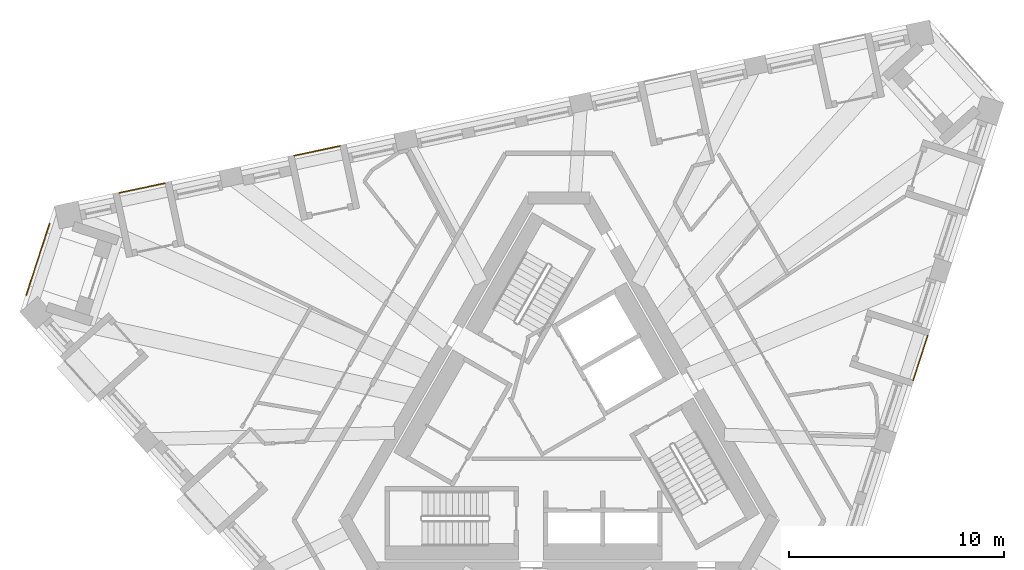
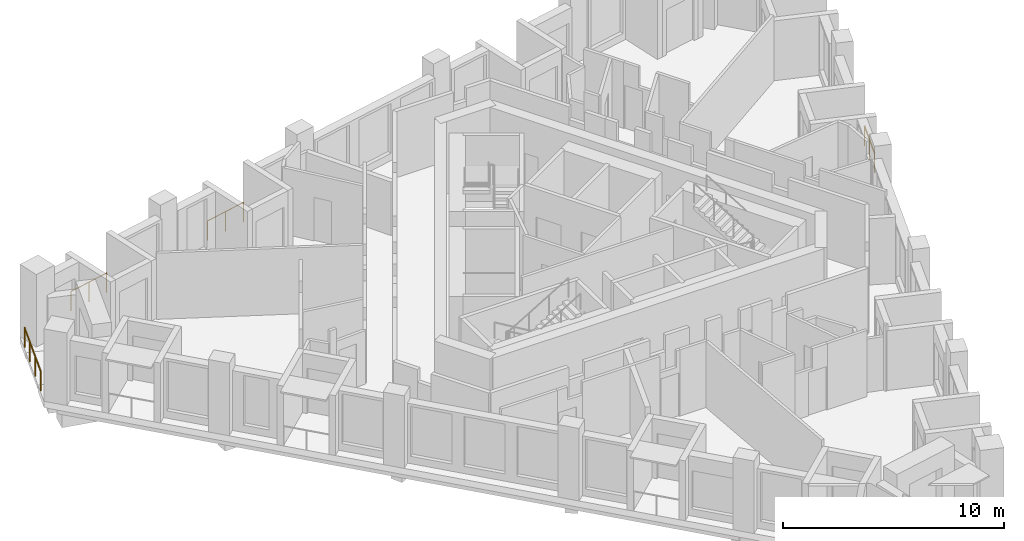
# One storey, part 11 of 12: 4 railings.
"""IFC4 building model written with IfcOpenShell, lengths in metres."""

from ifc_helpers import new_model, si_unit, direction, frame, origin, origin_2d, place, context, subcontext, project, spatial, circle, extrude, material, type_object, element, save


model = new_model("IFC4")

# Units and contexts
model_context = context("Model", 3, precision=1e-05, world=origin(), true_north=direction((0.0, 1.0)))
body_context = subcontext(model_context, "Body", "Model", "MODEL_VIEW")
ifc_project = project(units=[si_unit("LENGTHUNIT", "METRE"), si_unit("AREAUNIT", "SQUARE_METRE"), si_unit("VOLUMEUNIT", "CUBIC_METRE"), si_unit("PLANEANGLEUNIT", "RADIAN"), si_unit("MASSUNIT", "GRAM", prefix="KILO")], contexts=[model_context])

# Site, building, storey
site_placement = place(None, origin())
site = spatial("IfcSite", under=ifc_project, at=site_placement, CompositionType="ELEMENT")
building_placement = place(site_placement, origin())
building = spatial("IfcBuilding", under=site, at=building_placement, Name="Tramontana Tower", CompositionType="ELEMENT")
storey_placement = place(building_placement, frame((0.0, 0.0, 336.39990234375)))
storey = spatial("IfcBuildingStorey", under=building, at=storey_placement, Name="L77", CompositionType="ELEMENT", Elevation=336.39990234375)

# Railings
ifc_material = material(Name="Laminated glass balustrade", Category="glass")
railing_type = type_object("IfcRailingType", Name="GD1 Loggia glass balustrade 1100", PredefinedType="BALUSTRADE", material=ifc_material)
railing_1_placement = place(storey_placement, frame((16.470947265625, 2.24853515625, 0.0)))
element("IfcRailing", 1, at=railing_1_placement, inside=storey, type_object=railing_type, Name="Loggia balustrade L77 G8S1.10", PredefinedType="BALUSTRADE", context=body_context, shape_type="SweptSolid", body=[
    extrude(circle(Radius=0.02392578125, at=origin_2d()), frame((0.0, 0.0, 1.076171875), z_axis=(0.308999623589, 0.95106216023, 0.0), x_axis=(-0.95106216023, 0.308999623589, 0.0)), (0.0, 0.0, 1.0), 2.171142578125),
    extrude(circle(Radius=0.02099609375, at=origin_2d()), origin(), (0.0, 0.0, 1.0), 1.052001953125),
    extrude(circle(Radius=0.02099609375, at=origin_2d()), frame((0.33544921875, 1.032470703125, 0.0)), (0.0, 0.0, 1.0), 1.052001953125),
    extrude(circle(Radius=0.02099609375, at=origin_2d()), frame((0.6708984375, 2.06494140625, 0.0)), (0.0, 0.0, 1.0), 1.052001953125),
])
railing_2_placement = place(storey_placement, frame((-10.1826171875, 13.14013671875, 0.0)))
element("IfcRailing", 2, at=railing_2_placement, inside=storey, type_object=railing_type, Name="Loggia balustrade L77 G8S2.10", PredefinedType="BALUSTRADE", context=body_context, shape_type="SweptSolid", body=[
    extrude(circle(Radius=0.02392578125, at=origin_2d()), frame((0.0, 0.0, 1.076171875), z_axis=(-0.978153135692, -0.207885649183, 0.0), x_axis=(0.207885649183, -0.978153135692, 0.0)), (0.0, 0.0, 1.0), 2.17138671875),
    extrude(circle(Radius=0.02099609375, at=origin_2d()), origin(), (0.0, 0.0, 1.0), 1.052001953125),
    extrude(circle(Radius=0.02099609375, at=origin_2d()), frame((-1.06201171875, -0.2255859375, 0.0)), (0.0, 0.0, 1.0), 1.052001953125),
    extrude(circle(Radius=0.02099609375, at=origin_2d()), frame((-2.1240234375, -0.451416015625, 0.0)), (0.0, 0.0, 1.0), 1.052001953125),
])
railing_3_placement = place(storey_placement, frame((-18.31494140625, 11.411376953125, 0.0)))
element("IfcRailing", 3, at=railing_3_placement, inside=storey, type_object=railing_type, Name="Loggia balustrade L77 G8S2.13", PredefinedType="BALUSTRADE", context=body_context, shape_type="SweptSolid", body=[
    extrude(circle(Radius=0.02392578125, at=origin_2d()), frame((0.0, 0.0, 1.076171875), z_axis=(-0.978148276005, -0.207908513891, 0.0), x_axis=(0.207908513891, -0.978148276005, 0.0)), (0.0, 0.0, 1.0), 2.171142578125),
    extrude(circle(Radius=0.02099609375, at=origin_2d()), origin(), (0.0, 0.0, 1.0), 1.052001953125),
    extrude(circle(Radius=0.02099609375, at=origin_2d()), frame((-1.06201171875, -0.2255859375, 0.0)), (0.0, 0.0, 1.0), 1.052001953125),
    extrude(circle(Radius=0.02099609375, at=origin_2d()), frame((-2.123779296875, -0.451416015625, 0.0)), (0.0, 0.0, 1.0), 1.052001953125),
])
railing_4_placement = place(storey_placement, frame((-24.76416015625, 6.206298828125, 0.0)))
element("IfcRailing", 4, at=railing_4_placement, inside=storey, type_object=railing_type, Name="Corner loggia balustrade L77 K80", PredefinedType="BALUSTRADE", context=body_context, shape_type="SweptSolid", body=[
    extrude(circle(Radius=0.02392578125, at=origin_2d()), frame((0.0, 0.0, 1.076171875), z_axis=(0.309019824916, 0.951055596592, 0.0), x_axis=(-0.951055596592, 0.309019824916, 0.0)), (0.0, 0.0, 1.0), 3.5),
    extrude(circle(Radius=0.02099609375, at=origin_2d()), origin(), (0.0, 0.0, 1.0), 1.052001953125),
    extrude(circle(Radius=0.02099609375, at=origin_2d()), frame((0.360595703125, 1.109619140625, 0.0)), (0.0, 0.0, 1.0), 1.052001953125),
    extrude(circle(Radius=0.02099609375, at=origin_2d()), frame((0.720947265625, 2.218994140625, 0.0)), (0.0, 0.0, 1.0), 1.052001953125),
    extrude(circle(Radius=0.02099609375, at=origin_2d()), frame((1.08154296875, 3.32861328125, 0.0)), (0.0, 0.0, 1.0), 1.052001953125),
])

save(model, "model.ifc")
